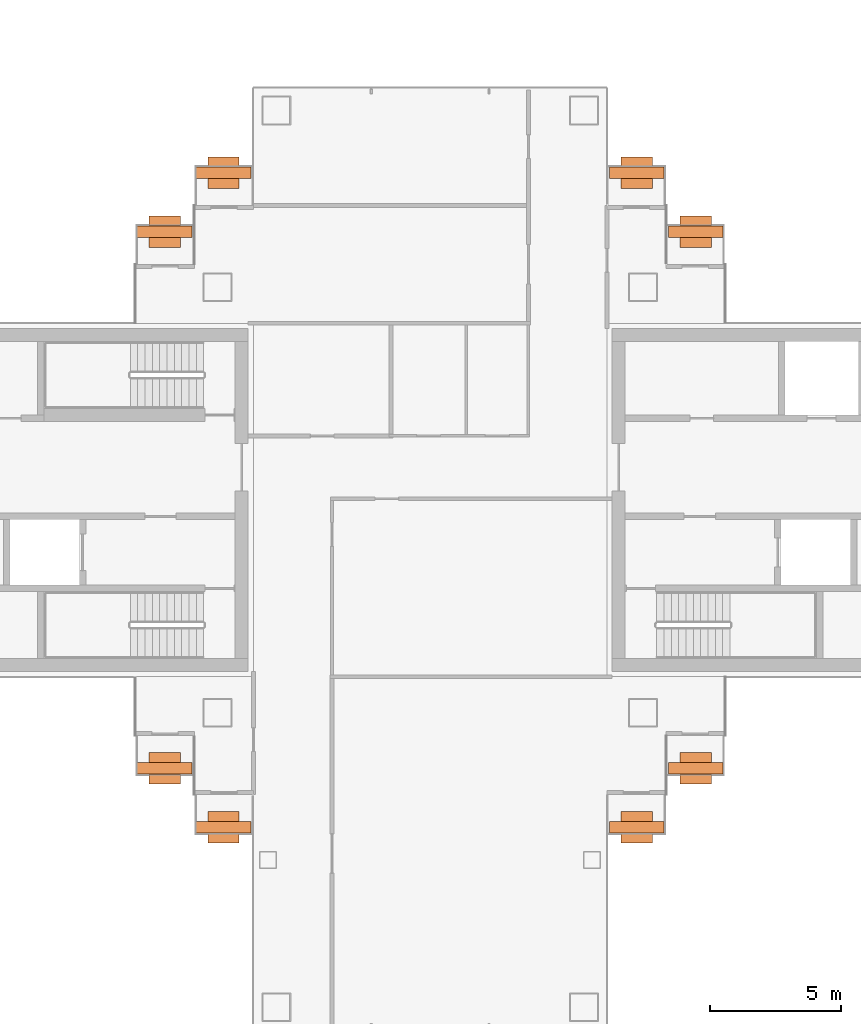
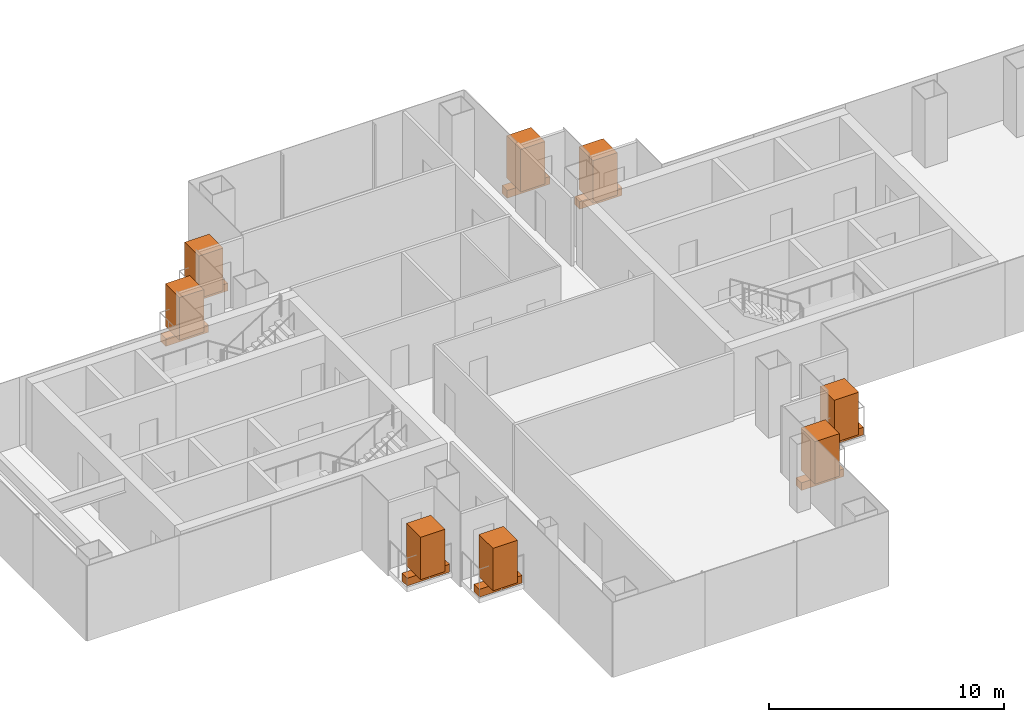
# One storey, part 16 of 16: 8 geographic elements, 8 proxies.
"""IFC4 building model written with IfcOpenShell, lengths in metres."""

from ifc_helpers import new_model, si_unit, direction, frame, origin, origin_2d, place, context, subcontext, project, spatial, rectangle, extrude, material, type_object, element, save


model = new_model("IFC4")

# Units and contexts
model_context = context("Model", 3, precision=1e-05, world=origin(), true_north=direction((0.0, 1.0)))
body_context = subcontext(model_context, "Body", "Model", "MODEL_VIEW")
ifc_project = project(units=[si_unit("LENGTHUNIT", "METRE"), si_unit("AREAUNIT", "SQUARE_METRE"), si_unit("VOLUMEUNIT", "CUBIC_METRE"), si_unit("PLANEANGLEUNIT", "RADIAN"), si_unit("MASSUNIT", "GRAM", prefix="KILO")], contexts=[model_context])

# Site, building, storey
site_placement = place(None, origin())
site = spatial("IfcSite", under=ifc_project, at=site_placement, CompositionType="ELEMENT")
building_placement = place(site_placement, origin())
building = spatial("IfcBuilding", under=site, at=building_placement, Name="Shamsa Quay Exchange Towers", CompositionType="ELEMENT")
storey_placement = place(building_placement, frame((0.0, 0.0, 158.39990234375)))
storey = spatial("IfcBuildingStorey", under=building, at=storey_placement, Name="L37", CompositionType="ELEMENT", Elevation=158.39990234375)

# Proxies
ifc_material_1 = material(Name="Reinforced concrete C30/37, black glass-fibre faced", Category="concrete")
building_element_proxy_type = type_object("IfcBuildingElementProxyType", Name="BALCONY PLANTER", PredefinedType="USERDEFINED", material=ifc_material_1)
for number, where, z_axis, x_axis, name in (
    (1, (-23.60595703125, 10.2451171875, 0.000244140625), (0.0, 0.0, 1.0), (-1.0, 0.0, 0.0), "PLANTER T1-PKEN L37"),
    (2, (-25.85595703125, 12.4951171875, 0.000244140625), (0.0, 0.0, 1.0), (-1.0, 0.0, 0.0), "PLANTER T1-PKEN L37"),
):
    element("IfcBuildingElementProxy", number, at=place(storey_placement, frame(where, z_axis=z_axis, x_axis=x_axis)), inside=storey, type_object=building_element_proxy_type, Name=name, ObjectType="PLANTER", PredefinedType="USERDEFINED", context=body_context, shape_type="SweptSolid", body=[
        extrude(rectangle(XDim=2.092041015625, YDim=0.449951171875, at=origin_2d()), origin(), (0.0, 0.0, 1.0), 0.39990234375),
    ])
for number, where, name in (
    (3, (-23.60595703125, -10.2451171875, 0.000244140625), "PLANTER T1-PKES L37"),
    (4, (-25.85595703125, -12.4951171875, 0.000244140625), "PLANTER T1-PKES L37"),
):
    element("IfcBuildingElementProxy", number, at=place(storey_placement, frame(where)), inside=storey, type_object=building_element_proxy_type, Name=name, ObjectType="PLANTER", PredefinedType="USERDEFINED", context=body_context, shape_type="SweptSolid", body=[
        extrude(rectangle(XDim=2.092041015625, YDim=0.449951171875, at=origin_2d()), origin(), (0.0, 0.0, 1.0), 0.39990234375),
    ])
for number, where, z_axis, x_axis, name in (
    (5, (-41.64404296875, 12.4951171875, 0.000244140625), (0.0, 0.0, 1.0), (-1.0, 0.0, 0.0), "PLANTER T1-PKWN L37"),
    (6, (-43.89404296875, 10.2451171875, 0.000244140625), (0.0, 0.0, 1.0), (-1.0, 0.0, 0.0), "PLANTER T1-PKWN L37"),
):
    element("IfcBuildingElementProxy", number, at=place(storey_placement, frame(where, z_axis=z_axis, x_axis=x_axis)), inside=storey, type_object=building_element_proxy_type, Name=name, ObjectType="PLANTER", PredefinedType="USERDEFINED", context=body_context, shape_type="SweptSolid", body=[
        extrude(rectangle(XDim=2.092041015625, YDim=0.449951171875, at=origin_2d()), origin(), (0.0, 0.0, 1.0), 0.39990234375),
    ])
for number, where, name in (
    (7, (-43.89404296875, -10.2451171875, 0.000244140625), "PLANTER T1-PKWS L37"),
    (8, (-41.64404296875, -12.4951171875, 0.000244140625), "PLANTER T1-PKWS L37"),
):
    element("IfcBuildingElementProxy", number, at=place(storey_placement, frame(where)), inside=storey, type_object=building_element_proxy_type, Name=name, ObjectType="PLANTER", PredefinedType="USERDEFINED", context=body_context, shape_type="SweptSolid", body=[
        extrude(rectangle(XDim=2.092041015625, YDim=0.449951171875, at=origin_2d()), origin(), (0.0, 0.0, 1.0), 0.39990234375),
    ])

# Geographic elements
ifc_material_2 = material(Name="Planting")
geographic_element_type = type_object("IfcGeographicElementType", Name="BALCONY TREE", PredefinedType="USERDEFINED", material=ifc_material_2)
for number, where, z_axis, x_axis, name in (
    (9, (-23.60595703125, 10.2451171875, 0.39990234375), (0.0, 0.0, 1.0), (-1.0, 0.0, 0.0), "TREE T1-PKEN L37"),
    (10, (-25.85595703125, 12.4951171875, 0.39990234375), (0.0, 0.0, 1.0), (-1.0, 0.0, 0.0), "TREE T1-PKEN L37"),
):
    element("IfcGeographicElement", number, at=place(storey_placement, frame(where, z_axis=z_axis, x_axis=x_axis)), inside=storey, type_object=geographic_element_type, Name=name, ObjectType="TREE", PredefinedType="USERDEFINED", context=body_context, shape_type="SweptSolid", body=[
        extrude(rectangle(XDim=1.199951171875, YDim=1.199951171875, at=origin_2d()), origin(), (0.0, 0.0, 1.0), 2.199951171875),
    ])
for number, where, name in (
    (11, (-23.60595703125, -10.2451171875, 0.39990234375), "TREE T1-PKES L37"),
    (12, (-25.85595703125, -12.4951171875, 0.39990234375), "TREE T1-PKES L37"),
):
    element("IfcGeographicElement", number, at=place(storey_placement, frame(where)), inside=storey, type_object=geographic_element_type, Name=name, ObjectType="TREE", PredefinedType="USERDEFINED", context=body_context, shape_type="SweptSolid", body=[
        extrude(rectangle(XDim=1.199951171875, YDim=1.199951171875, at=origin_2d()), origin(), (0.0, 0.0, 1.0), 2.199951171875),
    ])
for number, where, z_axis, x_axis, name in (
    (13, (-41.64404296875, 12.4951171875, 0.39990234375), (0.0, 0.0, 1.0), (-1.0, 0.0, 0.0), "TREE T1-PKWN L37"),
    (14, (-43.89404296875, 10.2451171875, 0.39990234375), (0.0, 0.0, 1.0), (-1.0, 0.0, 0.0), "TREE T1-PKWN L37"),
):
    element("IfcGeographicElement", number, at=place(storey_placement, frame(where, z_axis=z_axis, x_axis=x_axis)), inside=storey, type_object=geographic_element_type, Name=name, ObjectType="TREE", PredefinedType="USERDEFINED", context=body_context, shape_type="SweptSolid", body=[
        extrude(rectangle(XDim=1.199951171875, YDim=1.199951171875, at=origin_2d()), origin(), (0.0, 0.0, 1.0), 2.199951171875),
    ])
for number, where, name in (
    (15, (-43.89404296875, -10.2451171875, 0.39990234375), "TREE T1-PKWS L37"),
    (16, (-41.64404296875, -12.4951171875, 0.39990234375), "TREE T1-PKWS L37"),
):
    element("IfcGeographicElement", number, at=place(storey_placement, frame(where)), inside=storey, type_object=geographic_element_type, Name=name, ObjectType="TREE", PredefinedType="USERDEFINED", context=body_context, shape_type="SweptSolid", body=[
        extrude(rectangle(XDim=1.199951171875, YDim=1.199951171875, at=origin_2d()), origin(), (0.0, 0.0, 1.0), 2.199951171875),
    ])

save(model, "model.ifc")
